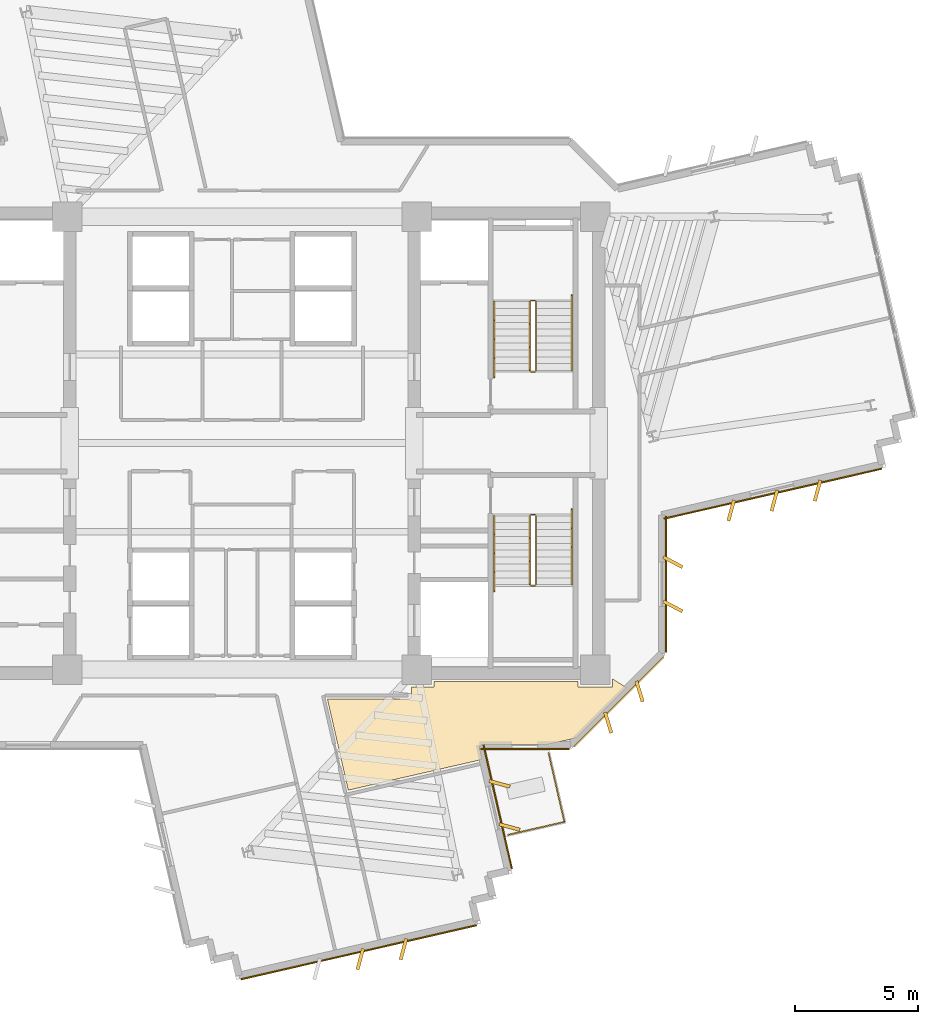
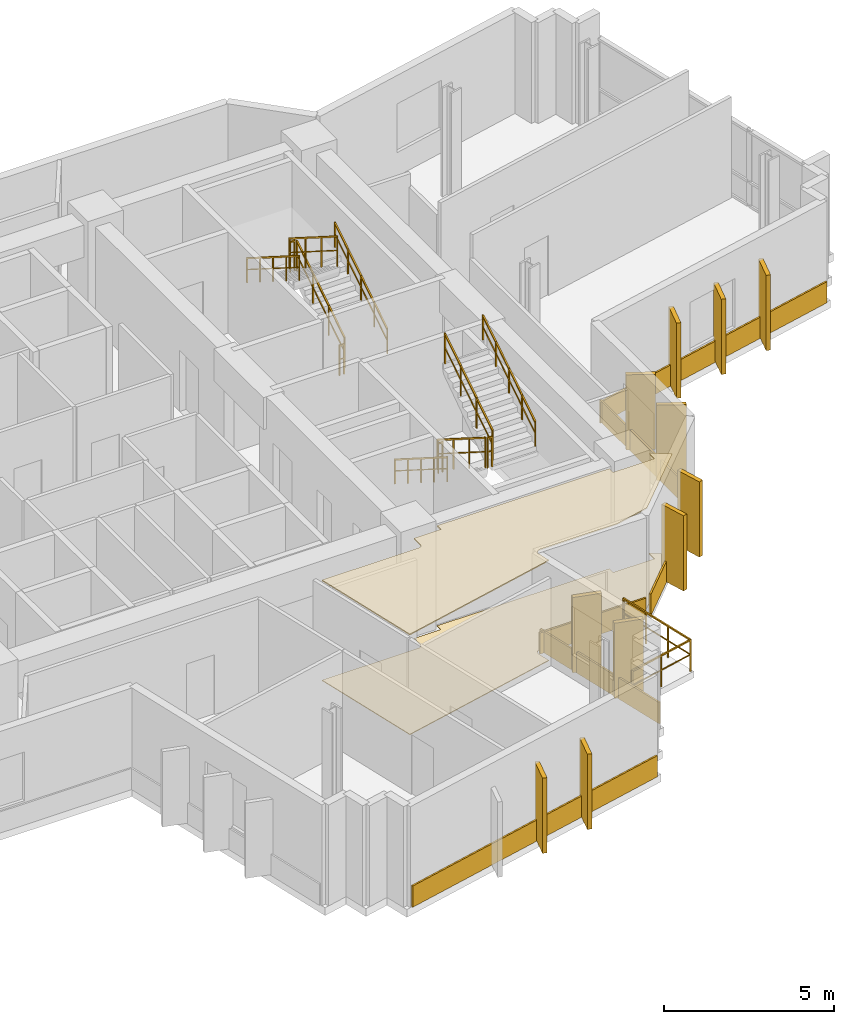
# One storey, part 12 of 13: 19 coverings, 14 railings.
"""IFC4 building model written with IfcOpenShell, lengths in metres."""

from ifc_helpers import new_model, si_unit, direction, frame, origin, origin_2d, place, context, subcontext, project, spatial, polyline, rectangle, outline, extrude, source, transform, mapped, material, layer, layer_set, type_object, element, save


model = new_model("IFC4")

# Units and contexts
model_context = context("Model", 3, precision=1e-05, world=origin(), true_north=direction((0.0, 1.0)))
body_context = subcontext(model_context, "Body", "Model", "MODEL_VIEW")
ifc_project = project(units=[si_unit("LENGTHUNIT", "METRE"), si_unit("AREAUNIT", "SQUARE_METRE"), si_unit("VOLUMEUNIT", "CUBIC_METRE"), si_unit("PLANEANGLEUNIT", "RADIAN"), si_unit("MASSUNIT", "GRAM", prefix="KILO")], contexts=[model_context])

# Site, building, storey
site_placement = place(None, origin())
site = spatial("IfcSite", under=ifc_project, at=site_placement, CompositionType="ELEMENT")
building_placement = place(site_placement, origin())
building = spatial("IfcBuilding", under=site, at=building_placement, Name="Zahravan Cultural Tower", CompositionType="ELEMENT")
storey_placement = place(building_placement, frame((0.0, 0.0, 174.60009765625)))
storey = spatial("IfcBuildingStorey", under=building, at=storey_placement, Name="L40", CompositionType="ELEMENT", Elevation=174.60009765625)

# Coverings
ifc_material_1 = material(Name="Acoustic mineral fibreboard")
ifc_layer_1 = layer(ifc_material_1, 0.0400390625)
ifc_layer_set_1 = layer_set([ifc_layer_1], Name="Acoustic mineral fibreboard")
covering_type_1 = type_object("IfcCoveringType", Name="COV-CEIL-AC20", PredefinedType="CEILING", material=ifc_layer_set_1)
covering_1_placement = place(storey_placement, frame((0.0, 0.0, 3.579833984375)))
element("IfcCovering", 1, at=covering_1_placement, inside=storey, type_object=covering_type_1, Name="L40 Acoustic Suspended Ceiling", PredefinedType="CEILING", context=body_context, shape_type="SweptSolid", body=[
    extrude(outline(polyline([(45.760986328125, 14.147216796875), (45.6611328125, 14.583984375), (45.66552734375, 14.643798828125), (45.69384765625, 14.69873046875), (45.73193359375, 14.734375), (45.7890625, 14.75830078125), (48.432861328125, 14.760009765625), (49.601806640625, 15.028076171875), (51.634033203125, 17.060302734375), (51.050048828125, 17.43017578125), (51.050048828125, 17.10009765625), (49.64990234375, 17.10009765625), (49.64990234375, 17.320068359375), (43.800048828125, 17.320068359375), (43.800048828125, 17.10009765625), (42.889892578125, 17.10009765625), (42.8896484375, 16.716064453125), (42.853515625, 16.639404296875), (42.78173828125, 16.601318359375), (39.47314453125, 16.60009765625), (40.322265625, 12.8994140625), (45.760986328125, 14.147216796875)])), origin(), (0.0, 0.0, 1.0), 0.0400390625),
])
ifc_material_2 = material(Name="Terrazzo flooring")
ifc_layer_2 = layer(ifc_material_2, 0.02490234375)
ifc_layer_set_2 = layer_set([ifc_layer_2], Name="Terrazzo flooring")
covering_type_2 = type_object("IfcCoveringType", Name="COV-FLR-TZ25", PredefinedType="FLOORING", material=ifc_layer_set_2)
covering_2_placement = place(storey_placement, origin())
element("IfcCovering", 2, at=covering_2_placement, inside=storey, type_object=covering_type_2, Name="L40 Polished Terrazzo Flooring", PredefinedType="FLOORING", context=body_context, shape_type="SweptSolid", body=[
    extrude(outline(polyline([(45.760986328125, 14.147216796875), (45.6611328125, 14.583984375), (45.66552734375, 14.643798828125), (45.69384765625, 14.69873046875), (45.73193359375, 14.734375), (45.7890625, 14.75830078125), (48.432861328125, 14.760009765625), (49.601806640625, 15.028076171875), (51.634033203125, 17.060302734375), (51.050048828125, 17.43017578125), (51.050048828125, 17.10009765625), (49.64990234375, 17.10009765625), (49.64990234375, 17.320068359375), (43.800048828125, 17.320068359375), (43.800048828125, 17.10009765625), (42.889892578125, 17.10009765625), (42.8896484375, 16.716064453125), (42.853515625, 16.639404296875), (42.78173828125, 16.601318359375), (39.47314453125, 16.60009765625), (40.322265625, 12.8994140625), (45.760986328125, 14.147216796875)])), origin(), (0.0, 0.0, 1.0), 0.02490234375),
])

# Railings
ifc_material_3 = material(Name="Steel ASTM A572 Grade 50", Category="steel")
railing_type_1 = type_object("IfcRailingType", Name="RL-BAL-1150", PredefinedType="BALUSTRADE", material=ifc_material_3)
railing_1_placement = place(storey_placement, frame((49.102783203125, 11.610107421875, 0.0)))
element("IfcRailing", 3, at=railing_1_placement, inside=storey, type_object=railing_type_1, Name="L40 Edge Balustrade GRD-TR-L40-SE-01", PredefinedType="BALUSTRADE", context=body_context, shape_type="SweptSolid", body=[
    extrude(rectangle(XDim=0.05, YDim=0.05, at=origin_2d()), frame((0.0, 0.0, 1.125), z_axis=(-0.974688001885, -0.223569450017, 0.0), x_axis=(0.223569450017, -0.974688001885, 0.0)), (0.0, 0.0, 1.0), 2.35009765625),
    extrude(rectangle(XDim=0.032, YDim=0.032, at=origin_2d()), frame((0.0, 0.0, 0.597900390625), z_axis=(-0.974688001885, -0.223569450017, 0.0), x_axis=(0.223569450017, -0.974688001885, 0.0)), (0.0, 0.0, 1.0), 2.35009765625),
    extrude(rectangle(XDim=0.04, YDim=0.04, at=origin_2d()), origin(), (0.0, 0.0, 1.0), 1.14990234375),
    extrude(rectangle(XDim=0.04, YDim=0.04, at=origin_2d()), frame((-1.145263671875, -0.2626953125, 0.0)), (0.0, 0.0, 1.0), 1.14990234375),
    extrude(rectangle(XDim=0.04, YDim=0.04, at=origin_2d()), frame((-2.29052734375, -0.525390625, 0.0)), (0.0, 0.0, 1.0), 1.14990234375),
])
railing_2_placement = place(storey_placement, frame((48.4580078125, 14.419921875, 0.0)))
element("IfcRailing", 4, at=railing_2_placement, inside=storey, type_object=railing_type_1, Name="L40 Edge Balustrade GRD-TR-L40-SE-02", PredefinedType="BALUSTRADE", context=body_context, shape_type="SweptSolid", body=[
    extrude(rectangle(XDim=0.05, YDim=0.05, at=origin_2d()), frame((0.0, 0.0, 1.125), z_axis=(0.223659439364, -0.97466735617, 0.0), x_axis=(0.97466735617, 0.223659439364, 0.0)), (0.0, 0.0, 1.0), 2.8828125),
    extrude(rectangle(XDim=0.032, YDim=0.032, at=origin_2d()), frame((0.0, 0.0, 0.597900390625), z_axis=(0.223659439364, -0.97466735617, 0.0), x_axis=(0.97466735617, 0.223659439364, 0.0)), (0.0, 0.0, 1.0), 2.8828125),
    extrude(rectangle(XDim=0.04, YDim=0.04, at=origin_2d()), origin(), (0.0, 0.0, 1.0), 1.14990234375),
    extrude(rectangle(XDim=0.04, YDim=0.04, at=origin_2d()), frame((0.21484375, -0.9365234375, 0.0)), (0.0, 0.0, 1.0), 1.14990234375),
    extrude(rectangle(XDim=0.04, YDim=0.04, at=origin_2d()), frame((0.429931640625, -1.873291015625, 0.0)), (0.0, 0.0, 1.0), 1.14990234375),
    extrude(rectangle(XDim=0.04, YDim=0.04, at=origin_2d()), frame((0.644775390625, -2.809814453125, 0.0)), (0.0, 0.0, 1.0), 1.14990234375),
])
railing_type_2 = type_object("IfcRailingType", Name="RL-STAIR-GRD1150", PredefinedType="BALUSTRADE", material=ifc_material_3)
railing_3_placement = place(storey_placement, frame((47.949951171875, 29.949951171875, 0.17724609375)))
element("IfcRailing", 5, at=railing_3_placement, inside=storey, type_object=railing_type_2, Name="L40 ST-E1 stair guard 1", PredefinedType="BALUSTRADE", context=body_context, shape_type="SweptSolid", body=[
    extrude(rectangle(XDim=0.05, YDim=0.05, at=origin_2d()), frame((0.0, 0.0, 1.0751953125), z_axis=(0.0, 0.844908973607, 0.534910110503), x_axis=(-1.0, 0.0, 0.0)), (0.0, 0.0, 1.0), 3.31396484375),
    extrude(rectangle(XDim=0.032, YDim=0.032, at=origin_2d()), frame((0.0, 0.0, 0.572021484375), z_axis=(0.0, 0.844908973607, 0.534910110503), x_axis=(-1.0, 0.0, 0.0)), (0.0, 0.0, 1.0), 3.31396484375),
    extrude(rectangle(XDim=0.04, YDim=0.04, at=origin_2d()), origin(), (0.0, 0.0, 1.0), 1.10009765625),
    extrude(rectangle(XDim=0.04, YDim=0.04, at=origin_2d()), frame((0.0, 0.933349609375, 0.5908203125)), (0.0, 0.0, 1.0), 1.10009765625),
    extrude(rectangle(XDim=0.04, YDim=0.04, at=origin_2d()), frame((0.0, 1.86669921875, 1.181884765625)), (0.0, 0.0, 1.0), 1.10009765625),
    extrude(rectangle(XDim=0.04, YDim=0.04, at=origin_2d()), frame((0.0, 2.800048828125, 1.772705078125)), (0.0, 0.0, 1.0), 1.10009765625),
])
railing_4_placement = place(storey_placement, frame((47.89990234375, 32.800048828125, 1.949951171875)))
element("IfcRailing", 6, at=railing_4_placement, inside=storey, type_object=railing_type_2, Name="L40 ST-E1 stair guard 2", PredefinedType="BALUSTRADE", context=body_context, shape_type="SweptSolid", body=[
    extrude(rectangle(XDim=0.05, YDim=0.05, at=origin_2d()), frame((0.0, 0.0, 1.0751953125), z_axis=(-1.0, 0.0, 0.0), x_axis=(0.0, -1.0, 0.0)), (0.0, 0.0, 1.0), 0.14990234375),
    extrude(rectangle(XDim=0.032, YDim=0.032, at=origin_2d()), frame((0.0, 0.0, 0.572021484375), z_axis=(-1.0, 0.0, 0.0), x_axis=(0.0, -1.0, 0.0)), (0.0, 0.0, 1.0), 0.14990234375),
    extrude(rectangle(XDim=0.04, YDim=0.04, at=origin_2d()), origin(), (0.0, 0.0, 1.0), 1.10009765625),
    extrude(rectangle(XDim=0.04, YDim=0.04, at=origin_2d()), frame((-0.14990234375, 0.0, 0.0)), (0.0, 0.0, 1.0), 1.10009765625),
])
railing_5_placement = place(storey_placement, frame((47.699951171875, 32.75, 2.127197265625)))
element("IfcRailing", 7, at=railing_5_placement, inside=storey, type_object=railing_type_2, Name="L40 ST-E1 stair guard 3", PredefinedType="BALUSTRADE", context=body_context, shape_type="SweptSolid", body=[
    extrude(rectangle(XDim=0.05, YDim=0.05, at=origin_2d()), frame((0.0, 0.0, 1.0751953125), z_axis=(0.0, -0.844908973607, 0.534910110503), x_axis=(1.0, 0.0, 0.0)), (0.0, 0.0, 1.0), 3.31396484375),
    extrude(rectangle(XDim=0.032, YDim=0.032, at=origin_2d()), frame((0.0, 0.0, 0.572021484375), z_axis=(0.0, -0.844908973607, 0.534910110503), x_axis=(1.0, 0.0, 0.0)), (0.0, 0.0, 1.0), 3.31396484375),
    extrude(rectangle(XDim=0.04, YDim=0.04, at=origin_2d()), origin(), (0.0, 0.0, 1.0), 1.10009765625),
    extrude(rectangle(XDim=0.04, YDim=0.04, at=origin_2d()), frame((0.0, -0.933349609375, 0.5908203125)), (0.0, 0.0, 1.0), 1.10009765625),
    extrude(rectangle(XDim=0.04, YDim=0.04, at=origin_2d()), frame((0.0, -1.86669921875, 1.181884765625)), (0.0, 0.0, 1.0), 1.10009765625),
    extrude(rectangle(XDim=0.04, YDim=0.04, at=origin_2d()), frame((0.0, -2.800048828125, 1.772705078125)), (0.0, 0.0, 1.0), 1.10009765625),
])
railing_6_placement = place(storey_placement, frame((47.89990234375, 29.89990234375, 0.0)))
element("IfcRailing", 8, at=railing_6_placement, inside=storey, type_object=railing_type_2, Name="L40 ST-E1 stair guard 4", PredefinedType="BALUSTRADE", context=body_context, shape_type="SweptSolid", body=[
    extrude(rectangle(XDim=0.05, YDim=0.05, at=origin_2d()), frame((0.0, 0.0, 1.0751953125), z_axis=(-1.0, 0.0, 0.0), x_axis=(0.0, -1.0, 0.0)), (0.0, 0.0, 1.0), 0.14990234375),
    extrude(rectangle(XDim=0.032, YDim=0.032, at=origin_2d()), frame((0.0, 0.0, 0.572021484375), z_axis=(-1.0, 0.0, 0.0), x_axis=(0.0, -1.0, 0.0)), (0.0, 0.0, 1.0), 0.14990234375),
    extrude(rectangle(XDim=0.04, YDim=0.04, at=origin_2d()), origin(), (0.0, 0.0, 1.0), 1.10009765625),
    extrude(rectangle(XDim=0.04, YDim=0.04, at=origin_2d()), frame((-0.14990234375, 0.0, 0.0)), (0.0, 0.0, 1.0), 1.10009765625),
])
railing_7_placement = place(storey_placement, frame((47.699951171875, 24.050048828125, 0.17724609375)))
element("IfcRailing", 9, at=railing_7_placement, inside=storey, type_object=railing_type_2, Name="L40 ST-E2 stair guard 1", PredefinedType="BALUSTRADE", context=body_context, shape_type="SweptSolid", body=[
    extrude(rectangle(XDim=0.05, YDim=0.05, at=origin_2d()), frame((0.0, 0.0, 1.0751953125), z_axis=(0.0, -0.844908973607, 0.534910110503), x_axis=(1.0, 0.0, 0.0)), (0.0, 0.0, 1.0), 3.31396484375),
    extrude(rectangle(XDim=0.032, YDim=0.032, at=origin_2d()), frame((0.0, 0.0, 0.572021484375), z_axis=(0.0, -0.844908973607, 0.534910110503), x_axis=(1.0, 0.0, 0.0)), (0.0, 0.0, 1.0), 3.31396484375),
    extrude(rectangle(XDim=0.04, YDim=0.04, at=origin_2d()), origin(), (0.0, 0.0, 1.0), 1.10009765625),
    extrude(rectangle(XDim=0.04, YDim=0.04, at=origin_2d()), frame((0.0, -0.933349609375, 0.5908203125)), (0.0, 0.0, 1.0), 1.10009765625),
    extrude(rectangle(XDim=0.04, YDim=0.04, at=origin_2d()), frame((0.0, -1.86669921875, 1.181884765625)), (0.0, 0.0, 1.0), 1.10009765625),
    extrude(rectangle(XDim=0.04, YDim=0.04, at=origin_2d()), frame((0.0, -2.800048828125, 1.772705078125)), (0.0, 0.0, 1.0), 1.10009765625),
])
railing_8_placement = place(storey_placement, frame((47.75, 21.199951171875, 1.949951171875)))
element("IfcRailing", 10, at=railing_8_placement, inside=storey, type_object=railing_type_2, Name="L40 ST-E2 stair guard 2", PredefinedType="BALUSTRADE", context=body_context, shape_type="SweptSolid", body=[
    extrude(rectangle(XDim=0.05, YDim=0.05, at=origin_2d()), frame((0.0, 0.0, 1.0751953125), z_axis=(1.0, 0.0, 0.0), x_axis=(0.0, 1.0, 0.0)), (0.0, 0.0, 1.0), 0.14990234375),
    extrude(rectangle(XDim=0.032, YDim=0.032, at=origin_2d()), frame((0.0, 0.0, 0.572021484375), z_axis=(1.0, 0.0, 0.0), x_axis=(0.0, 1.0, 0.0)), (0.0, 0.0, 1.0), 0.14990234375),
    extrude(rectangle(XDim=0.04, YDim=0.04, at=origin_2d()), origin(), (0.0, 0.0, 1.0), 1.10009765625),
    extrude(rectangle(XDim=0.04, YDim=0.04, at=origin_2d()), frame((0.14990234375, 0.0, 0.0)), (0.0, 0.0, 1.0), 1.10009765625),
])
railing_9_placement = place(storey_placement, frame((47.949951171875, 21.25, 2.127197265625)))
element("IfcRailing", 11, at=railing_9_placement, inside=storey, type_object=railing_type_2, Name="L40 ST-E2 stair guard 3", PredefinedType="BALUSTRADE", context=body_context, shape_type="SweptSolid", body=[
    extrude(rectangle(XDim=0.05, YDim=0.05, at=origin_2d()), frame((0.0, 0.0, 1.0751953125), z_axis=(0.0, 0.844908973607, 0.534910110503), x_axis=(-1.0, 0.0, 0.0)), (0.0, 0.0, 1.0), 3.31396484375),
    extrude(rectangle(XDim=0.032, YDim=0.032, at=origin_2d()), frame((0.0, 0.0, 0.572021484375), z_axis=(0.0, 0.844908973607, 0.534910110503), x_axis=(-1.0, 0.0, 0.0)), (0.0, 0.0, 1.0), 3.31396484375),
    extrude(rectangle(XDim=0.04, YDim=0.04, at=origin_2d()), origin(), (0.0, 0.0, 1.0), 1.10009765625),
    extrude(rectangle(XDim=0.04, YDim=0.04, at=origin_2d()), frame((0.0, 0.933349609375, 0.5908203125)), (0.0, 0.0, 1.0), 1.10009765625),
    extrude(rectangle(XDim=0.04, YDim=0.04, at=origin_2d()), frame((0.0, 1.86669921875, 1.181884765625)), (0.0, 0.0, 1.0), 1.10009765625),
    extrude(rectangle(XDim=0.04, YDim=0.04, at=origin_2d()), frame((0.0, 2.800048828125, 1.772705078125)), (0.0, 0.0, 1.0), 1.10009765625),
])
railing_10_placement = place(storey_placement, frame((47.75, 24.10009765625, 0.0)))
element("IfcRailing", 12, at=railing_10_placement, inside=storey, type_object=railing_type_2, Name="L40 ST-E2 stair guard 4", PredefinedType="BALUSTRADE", context=body_context, shape_type="SweptSolid", body=[
    extrude(rectangle(XDim=0.05, YDim=0.05, at=origin_2d()), frame((0.0, 0.0, 1.0751953125), z_axis=(1.0, 0.0, 0.0), x_axis=(0.0, 1.0, 0.0)), (0.0, 0.0, 1.0), 0.14990234375),
    extrude(rectangle(XDim=0.032, YDim=0.032, at=origin_2d()), frame((0.0, 0.0, 0.572021484375), z_axis=(1.0, 0.0, 0.0), x_axis=(0.0, 1.0, 0.0)), (0.0, 0.0, 1.0), 0.14990234375),
    extrude(rectangle(XDim=0.04, YDim=0.04, at=origin_2d()), origin(), (0.0, 0.0, 1.0), 1.10009765625),
    extrude(rectangle(XDim=0.04, YDim=0.04, at=origin_2d()), frame((0.14990234375, 0.0, 0.0)), (0.0, 0.0, 1.0), 1.10009765625),
])
railing_type_3 = type_object("IfcRailingType", Name="RL-STAIR-HR900", PredefinedType="HANDRAIL", material=ifc_material_3)
railing_11_placement = place(storey_placement, frame((49.39990234375, 29.949951171875, 0.17724609375)))
element("IfcRailing", 13, at=railing_11_placement, inside=storey, type_object=railing_type_3, Name="L40 ST-E1 stair handrail 1", PredefinedType="HANDRAIL", context=body_context, shape_type="SweptSolid", body=[
    extrude(rectangle(XDim=0.05, YDim=0.05, at=origin_2d()), frame((0.0, 0.0, 0.875), z_axis=(0.0, 0.844913916606, 0.534902302785), x_axis=(-1.0, 0.0, 0.0)), (0.0, 0.0, 1.0), 3.6455078125),
    extrude(rectangle(XDim=0.032, YDim=0.032, at=origin_2d()), frame((0.0, 0.0, 0.468017578125), z_axis=(0.0, 0.844913916606, 0.534902302785), x_axis=(-1.0, 0.0, 0.0)), (0.0, 0.0, 1.0), 3.6455078125),
    extrude(rectangle(XDim=0.04, YDim=0.04, at=origin_2d()), origin(), (0.0, 0.0, 1.0), 0.89990234375),
    extrude(rectangle(XDim=0.04, YDim=0.04, at=origin_2d()), frame((0.0, 0.77001953125, 0.487548828125)), (0.0, 0.0, 1.0), 0.89990234375),
    extrude(rectangle(XDim=0.04, YDim=0.04, at=origin_2d()), frame((0.0, 1.5400390625, 0.97509765625)), (0.0, 0.0, 1.0), 0.89990234375),
    extrude(rectangle(XDim=0.04, YDim=0.04, at=origin_2d()), frame((0.0, 2.31005859375, 1.46240234375)), (0.0, 0.0, 1.0), 0.89990234375),
    extrude(rectangle(XDim=0.04, YDim=0.04, at=origin_2d()), frame((0.0, 3.080078125, 1.949951171875)), (0.0, 0.0, 1.0), 0.89990234375),
])
for number, where, name in (
    (14, (46.25, 32.75, 2.127197265625), "L40 ST-E1 stair handrail 2"),
    (15, (46.25, 24.050048828125, 0.17724609375), "L40 ST-E2 stair handrail 1"),
):
    element("IfcRailing", number, at=place(storey_placement, frame(where)), inside=storey, type_object=railing_type_3, Name=name, PredefinedType="HANDRAIL", context=body_context, shape_type="SweptSolid", body=[
        extrude(rectangle(XDim=0.05, YDim=0.05, at=origin_2d()), frame((0.0, 0.0, 0.875), z_axis=(0.0, -0.844913916606, 0.534902302785), x_axis=(1.0, 0.0, 0.0)), (0.0, 0.0, 1.0), 3.6455078125),
        extrude(rectangle(XDim=0.032, YDim=0.032, at=origin_2d()), frame((0.0, 0.0, 0.468017578125), z_axis=(0.0, -0.844913916606, 0.534902302785), x_axis=(1.0, 0.0, 0.0)), (0.0, 0.0, 1.0), 3.6455078125),
        extrude(rectangle(XDim=0.04, YDim=0.04, at=origin_2d()), origin(), (0.0, 0.0, 1.0), 0.89990234375),
        extrude(rectangle(XDim=0.04, YDim=0.04, at=origin_2d()), frame((0.0, -0.77001953125, 0.487548828125)), (0.0, 0.0, 1.0), 0.89990234375),
        extrude(rectangle(XDim=0.04, YDim=0.04, at=origin_2d()), frame((0.0, -1.5400390625, 0.97509765625)), (0.0, 0.0, 1.0), 0.89990234375),
        extrude(rectangle(XDim=0.04, YDim=0.04, at=origin_2d()), frame((0.0, -2.31005859375, 1.46240234375)), (0.0, 0.0, 1.0), 0.89990234375),
        extrude(rectangle(XDim=0.04, YDim=0.04, at=origin_2d()), frame((0.0, -3.080078125, 1.949951171875)), (0.0, 0.0, 1.0), 0.89990234375),
    ])
railing_12_placement = place(storey_placement, frame((49.39990234375, 21.25, 2.127197265625)))
element("IfcRailing", 16, at=railing_12_placement, inside=storey, type_object=railing_type_3, Name="L40 ST-E2 stair handrail 2", PredefinedType="HANDRAIL", context=body_context, shape_type="SweptSolid", body=[
    extrude(rectangle(XDim=0.05, YDim=0.05, at=origin_2d()), frame((0.0, 0.0, 0.875), z_axis=(0.0, 0.844913916606, 0.534902302785), x_axis=(-1.0, 0.0, 0.0)), (0.0, 0.0, 1.0), 3.6455078125),
    extrude(rectangle(XDim=0.032, YDim=0.032, at=origin_2d()), frame((0.0, 0.0, 0.468017578125), z_axis=(0.0, 0.844913916606, 0.534902302785), x_axis=(-1.0, 0.0, 0.0)), (0.0, 0.0, 1.0), 3.6455078125),
    extrude(rectangle(XDim=0.04, YDim=0.04, at=origin_2d()), origin(), (0.0, 0.0, 1.0), 0.89990234375),
    extrude(rectangle(XDim=0.04, YDim=0.04, at=origin_2d()), frame((0.0, 0.77001953125, 0.487548828125)), (0.0, 0.0, 1.0), 0.89990234375),
    extrude(rectangle(XDim=0.04, YDim=0.04, at=origin_2d()), frame((0.0, 1.5400390625, 0.97509765625)), (0.0, 0.0, 1.0), 0.89990234375),
    extrude(rectangle(XDim=0.04, YDim=0.04, at=origin_2d()), frame((0.0, 2.31005859375, 1.46240234375)), (0.0, 0.0, 1.0), 0.89990234375),
    extrude(rectangle(XDim=0.04, YDim=0.04, at=origin_2d()), frame((0.0, 3.080078125, 1.949951171875)), (0.0, 0.0, 1.0), 0.89990234375),
])

# Coverings
ifc_material_4 = material(Name="Terracotta ceramic cladding", Category="masonry")
ifc_layer_3 = layer(ifc_material_4, 0.06005859375)
ifc_layer_set_3 = layer_set([ifc_layer_3], Name="Terracotta ceramic cladding")
covering_type_3 = type_object("IfcCoveringType", Name="COV-CLAD-TC60", PredefinedType="CLADDING", material=ifc_layer_set_3)
shared_shape_1 = source(origin(), body_context, "Body", "SweptSolid", [
    extrude(rectangle(XDim=5.157958984375, YDim=0.06005859375, at=origin_2d()), origin(), (0.0, 0.0, 1.0), 0.760009765625),
])
covering_3_placement = place(storey_placement, frame((51.317626953125, 16.482421875, 0.02001953125), z_axis=(0.0, 0.0, 1.0), x_axis=(-0.707106781187, -0.707106781187, 0.0)))
element("IfcCovering", 17, at=covering_3_placement, inside=storey, type_object=covering_type_3, Name="L40 Terracotta Spandrel Cladding 12", PredefinedType="CLADDING", context=body_context, shape_type="MappedRepresentation", body=[
    mapped(shared_shape_1, transform((0.0, 0.0, 0.0), x_axis=(1.0, 0.0, 0.0), y_axis=(0.0, 1.0, 0.0), z_axis=(0.0, 0.0, 1.0), scale=1.0)),
])
shared_shape_2 = source(origin(), body_context, "Body", "SweptSolid", [
    extrude(rectangle(XDim=0.8798828125, YDim=0.139892578125, at=origin_2d()), origin(), (0.0, 0.0, 1.0), 2.699951171875),
])
for number, where, z_axis, x_axis, name in (
    (18, (59.39111328125, 25.0712890625, 0.0498046875), (0.0, 0.0, 1.0), (-0.260150626952, -0.965568045917, 0.0), "L40 Herringbone Terracotta Fin 04"),
    (19, (57.63671875, 24.668701171875, 0.0498046875), (0.0, 0.0, 1.0), (-0.260150626952, -0.965568045917, 0.0), "L40 Herringbone Terracotta Fin 05"),
    (20, (55.882080078125, 24.266357421875, 0.0498046875), (0.0, 0.0, 1.0), (-0.260150626952, -0.965568045917, 0.0), "L40 Herringbone Terracotta Fin 06"),
    (21, (53.510009765625, 22.169189453125, 0.0498046875), (0.0, 0.0, 1.0), (0.882947592859, -0.469471562786, 0.0), "L40 Herringbone Terracotta Fin 07"),
    (22, (53.510009765625, 20.369384765625, 0.0498046875), (0.0, 0.0, 1.0), (0.882947592859, -0.469471562786, 0.0), "L40 Herringbone Terracotta Fin 08"),
    (23, (52.155517578125, 16.917236328125, 0.0498046875), (0.0, 0.0, 1.0), (0.292371704723, -0.956304755963, 0.0), "L40 Herringbone Terracotta Fin 09"),
    (24, (50.8828125, 15.644287109375, 0.0498046875), (0.0, 0.0, 1.0), (0.292371704723, -0.956304755963, 0.0), "L40 Herringbone Terracotta Fin 10"),
    (25, (46.47021484375, 13.157470703125, 0.0498046875), (0.0, 0.0, 1.0), (0.965563505285, -0.260167479254, 0.0), "L40 Herringbone Terracotta Fin 11"),
    (26, (46.87255859375, 11.403076171875, 0.0498046875), (0.0, 0.0, 1.0), (0.965563505285, -0.260167479254, 0.0), "L40 Herringbone Terracotta Fin 12"),
    (27, (42.563720703125, 6.43701171875, 0.0498046875), (0.0, 0.0, 1.0), (-0.260167479254, -0.965563505285, 0.0), "L40 Herringbone Terracotta Fin 13"),
    (28, (40.809326171875, 6.03466796875, 0.0498046875), (0.0, 0.0, 1.0), (-0.260167479254, -0.965563505285, 0.0), "L40 Herringbone Terracotta Fin 14"),
):
    element("IfcCovering", number, at=place(storey_placement, frame(where, z_axis=z_axis, x_axis=x_axis)), inside=storey, type_object=covering_type_3, Name=name, PredefinedType="CLADDING", context=body_context, shape_type="MappedRepresentation", body=[
        mapped(shared_shape_2, transform((0.0, 0.0, 0.0), x_axis=(1.0, 0.0, 0.0), y_axis=(0.0, 1.0, 0.0), z_axis=(0.0, 0.0, 1.0), scale=1.0)),
    ])
shared_shape_3 = source(origin(), body_context, "Body", "SweptSolid", [
    extrude(rectangle(XDim=9.084716796875, YDim=0.06005859375, at=origin_2d()), origin(), (0.0, 0.0, 1.0), 0.760009765625),
])
covering_4_placement = place(storey_placement, frame((57.572998046875, 24.946533203125, 0.02001953125), z_axis=(0.0, 0.0, 1.0), x_axis=(-0.974679303279, -0.223607369645, 0.0)))
element("IfcCovering", 29, at=covering_4_placement, inside=storey, type_object=covering_type_3, Name="L40 Terracotta Spandrel Cladding 10", PredefinedType="CLADDING", context=body_context, shape_type="MappedRepresentation", body=[
    mapped(shared_shape_3, transform((0.0, 0.0, 0.0), x_axis=(1.0, 0.0, 0.0), y_axis=(0.0, 1.0, 0.0), z_axis=(0.0, 0.0, 1.0), scale=1.0)),
])
shared_shape_4 = source(origin(), body_context, "Body", "SweptSolid", [
    extrude(rectangle(XDim=5.5224609375, YDim=0.06005859375, at=origin_2d()), origin(), (0.0, 0.0, 1.0), 0.760009765625),
])
covering_5_placement = place(storey_placement, frame((53.22509765625, 21.269287109375, 0.02001953125), z_axis=(0.0, 0.0, 1.0), x_axis=(0.0, -1.0, 0.0)))
element("IfcCovering", 30, at=covering_5_placement, inside=storey, type_object=covering_type_3, Name="L40 Terracotta Spandrel Cladding 11", PredefinedType="CLADDING", context=body_context, shape_type="MappedRepresentation", body=[
    mapped(shared_shape_4, transform((0.0, 0.0, 0.0), x_axis=(1.0, 0.0, 0.0), y_axis=(0.0, 1.0, 0.0), z_axis=(0.0, 0.0, 1.0), scale=1.0)),
])
shared_shape_5 = source(origin(), body_context, "Body", "SweptSolid", [
    extrude(rectangle(XDim=3.5966796875, YDim=0.06005859375, at=origin_2d()), origin(), (0.0, 0.0, 1.0), 0.760009765625),
])
covering_6_placement = place(storey_placement, frame((47.49365234375, 14.574951171875, 0.02001953125), z_axis=(0.0, 0.0, 1.0), x_axis=(-1.0, 0.0, 0.0)))
element("IfcCovering", 31, at=covering_6_placement, inside=storey, type_object=covering_type_3, Name="L40 Terracotta Spandrel Cladding 13", PredefinedType="CLADDING", context=body_context, shape_type="MappedRepresentation", body=[
    mapped(shared_shape_5, transform((0.0, 0.0, 0.0), x_axis=(1.0, 0.0, 0.0), y_axis=(0.0, 1.0, 0.0), z_axis=(0.0, 0.0, 1.0), scale=1.0)),
])
shared_shape_6 = source(origin(), body_context, "Body", "SweptSolid", [
    extrude(rectangle(XDim=5.15380859375, YDim=0.06005859375, at=origin_2d()), origin(), (0.0, 0.0, 1.0), 0.760009765625),
])
covering_7_placement = place(storey_placement, frame((46.3935546875, 12.216552734375, 0.02001953125), z_axis=(0.0, 0.0, 1.0), x_axis=(0.223590358248, -0.974683205815, 0.0)))
element("IfcCovering", 32, at=covering_7_placement, inside=storey, type_object=covering_type_3, Name="L40 Terracotta Spandrel Cladding 14", PredefinedType="CLADDING", context=body_context, shape_type="MappedRepresentation", body=[
    mapped(shared_shape_6, transform((0.0, 0.0, 0.0), x_axis=(1.0, 0.0, 0.0), y_axis=(0.0, 1.0, 0.0), z_axis=(0.0, 0.0, 1.0), scale=1.0)),
])
shared_shape_7 = source(origin(), body_context, "Body", "SweptSolid", [
    extrude(rectangle(XDim=9.81982421875, YDim=0.06005859375, at=origin_2d()), origin(), (0.0, 0.0, 1.0), 0.760009765625),
])
covering_8_placement = place(storey_placement, frame((40.74560546875, 6.3125, 0.02001953125), z_axis=(0.0, 0.0, 1.0), x_axis=(-0.974683205815, -0.223590358248, 0.0)))
element("IfcCovering", 33, at=covering_8_placement, inside=storey, type_object=covering_type_3, Name="L40 Terracotta Spandrel Cladding 19", PredefinedType="CLADDING", context=body_context, shape_type="MappedRepresentation", body=[
    mapped(shared_shape_7, transform((0.0, 0.0, 0.0), x_axis=(1.0, 0.0, 0.0), y_axis=(0.0, 1.0, 0.0), z_axis=(0.0, 0.0, 1.0), scale=1.0)),
])

save(model, "model.ifc")
